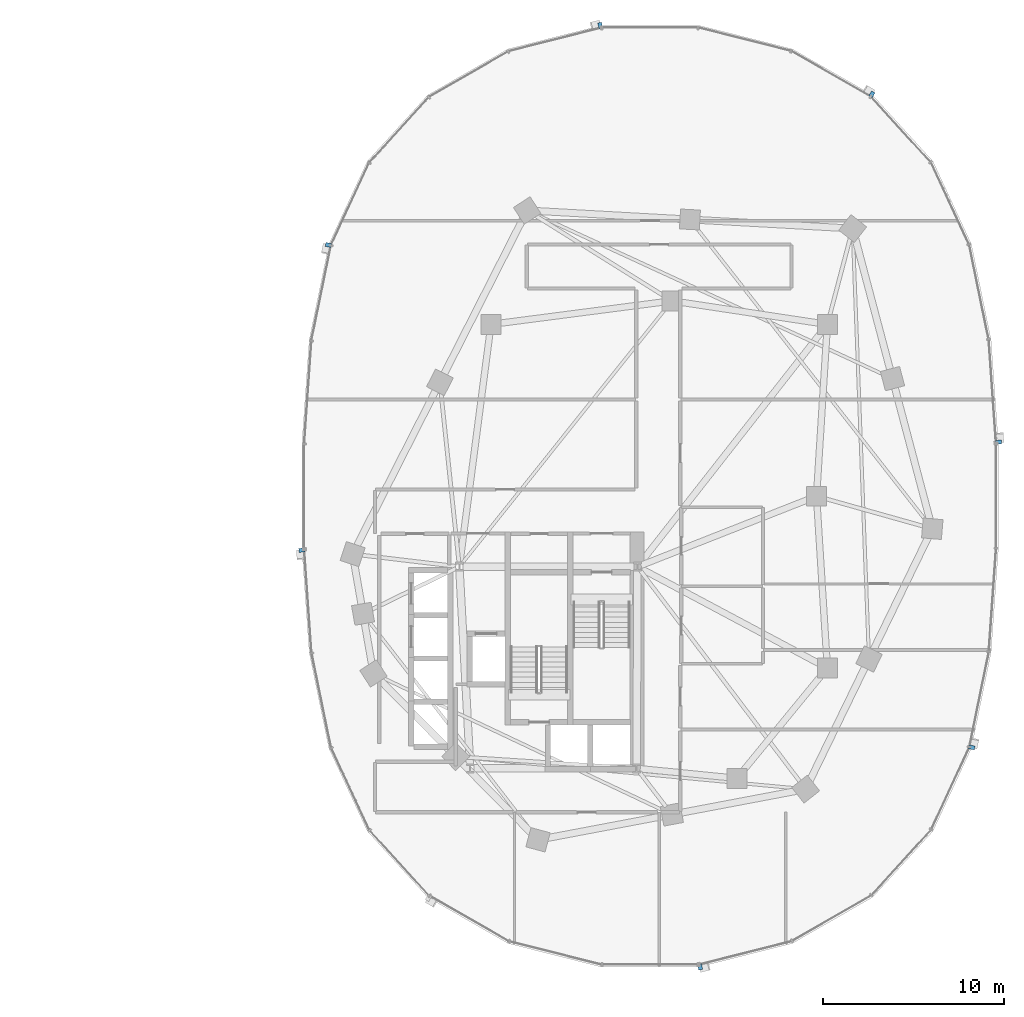
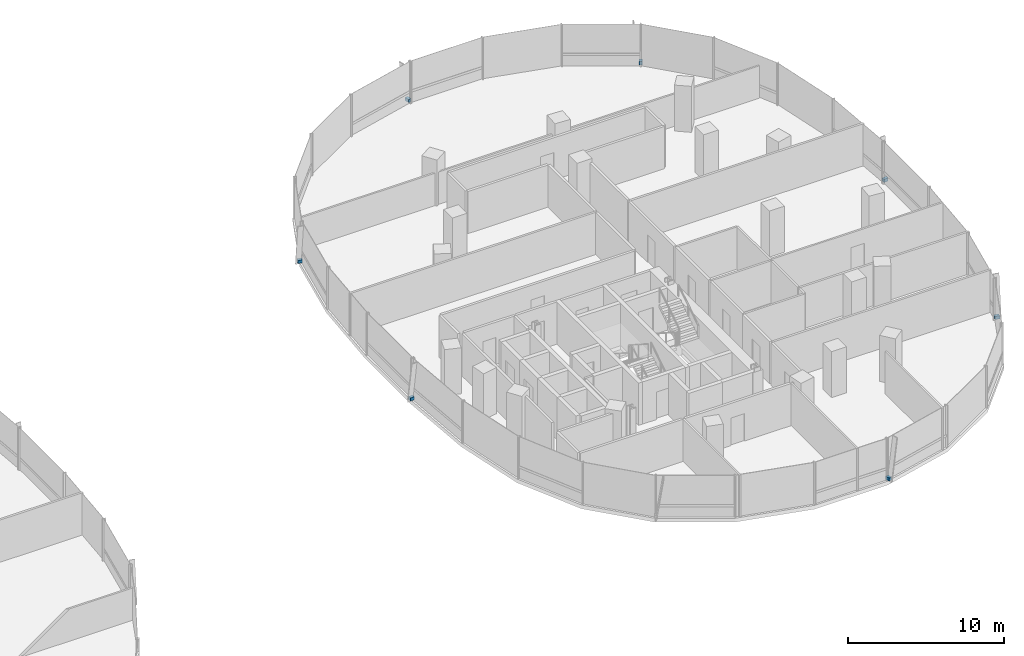
# One storey, part 16 of 21: 7 discrete accessories.
"""IFC4 building model written with IfcOpenShell, lengths in metres."""

from ifc_helpers import new_model, si_unit, direction, frame, origin, origin_2d, place, context, subcontext, project, spatial, rectangle, extrude, material, type_object, element, save


model = new_model("IFC4")

# Units and contexts
model_context = context("Model", 3, precision=1e-05, world=origin(), true_north=direction((0.0, 1.0)))
body_context = subcontext(model_context, "Body", "Model", "MODEL_VIEW")
ifc_project = project(units=[si_unit("LENGTHUNIT", "METRE"), si_unit("AREAUNIT", "SQUARE_METRE"), si_unit("VOLUMEUNIT", "CUBIC_METRE"), si_unit("PLANEANGLEUNIT", "RADIAN"), si_unit("MASSUNIT", "GRAM", prefix="KILO"), si_unit("THERMODYNAMICTEMPERATUREUNIT", "KELVIN"), si_unit("POWERUNIT", "WATT")], contexts=[model_context])

# Site, building, storey
site_placement = place(None, origin())
site = spatial("IfcSite", under=ifc_project, at=site_placement, CompositionType="ELEMENT")
building_placement = place(site_placement, origin())
building = spatial("IfcBuilding", under=site, at=building_placement, Name="Cundina Bronze Exchange", CompositionType="ELEMENT")
storey_placement = place(building_placement, frame((0.0, 0.0, 121.39990234375)))
storey = spatial("IfcBuildingStorey", under=building, at=storey_placement, Name="L31", CompositionType="ELEMENT", Elevation=121.39990234375)

# Discrete accessories
ifc_material = material(Name="Anodised Bronze Aluminium 6063-T6", Category="aluminium")
discrete_accessory_type = type_object("IfcDiscreteAccessoryType", Name="ACC-BRK-FIN", PredefinedType="BRACKET", material=ifc_material)
for number, where, z_axis, x_axis, name in (
    (1, (51.264404296875, 2.986083984375, 0.10009765625), (0.0, 0.0, 1.0), (-0.070278787473, 0.997527389113, 0.0), "L31 Fin Support Bracket 1"),
    (2, (44.259521484375, 22.21875, 0.10009765625), (0.0, 0.0, 1.0), (-0.867105478933, 0.498124571171, 0.0), "L31 Fin Support Bracket 5"),
    (3, (29.23974609375, 26.03173828125, 0.10009765625), (0.0, 0.0, 1.0), (-0.969488149345, -0.245138182011, 0.0), "L31 Fin Support Bracket 1"),
    (4, (14.211669921875, 13.8896484375, 0.10009765625), (0.0, 0.0, 1.0), (-0.201419845156, -0.979505000486, 0.0), "L31 Fin Support Bracket 5"),
    (5, (12.735595703125, -2.986083984375, 0.10009765625), (0.0, 0.0, 1.0), (0.070278787473, -0.997527389113, 0.0), "L31 Fin Support Bracket 1"),
    (6, (34.76025390625, -26.03173828125, 0.10009765625), (0.0, 0.0, 1.0), (0.969488149345, 0.245138182011, 0.0), "L31 Fin Support Bracket 1"),
    (7, (49.788330078125, -13.8896484375, 0.10009765625), (0.0, 0.0, 1.0), (0.201419845156, 0.979505000486, 0.0), "L31 Fin Support Bracket 5"),
):
    element("IfcDiscreteAccessory", number, at=place(storey_placement, frame(where, z_axis=z_axis, x_axis=x_axis)), inside=storey, type_object=discrete_accessory_type, Name=name, PredefinedType="BRACKET", context=body_context, shape_type="SweptSolid", body=[
        extrude(rectangle(XDim=0.219970703125, YDim=0.320068359375, at=origin_2d()), origin(), (0.0, 0.0, 1.0), 0.239990234375),
    ])

save(model, "model.ifc")
